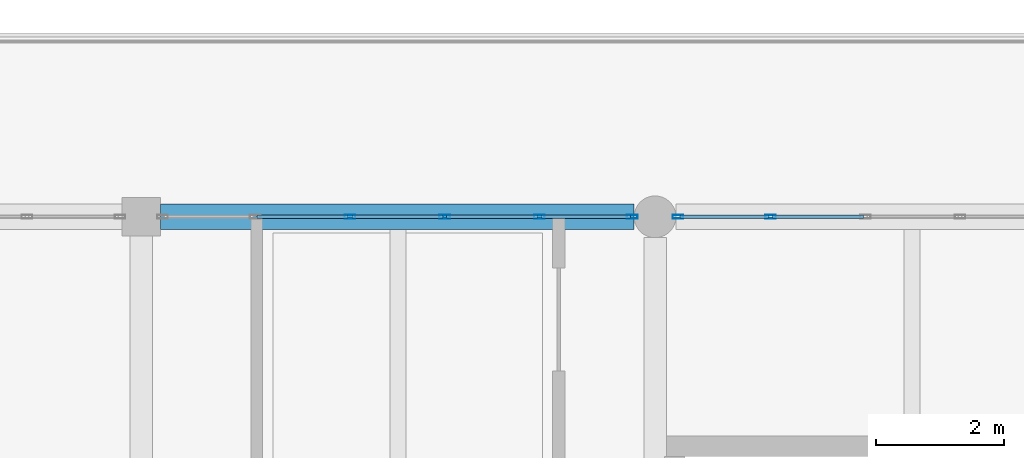
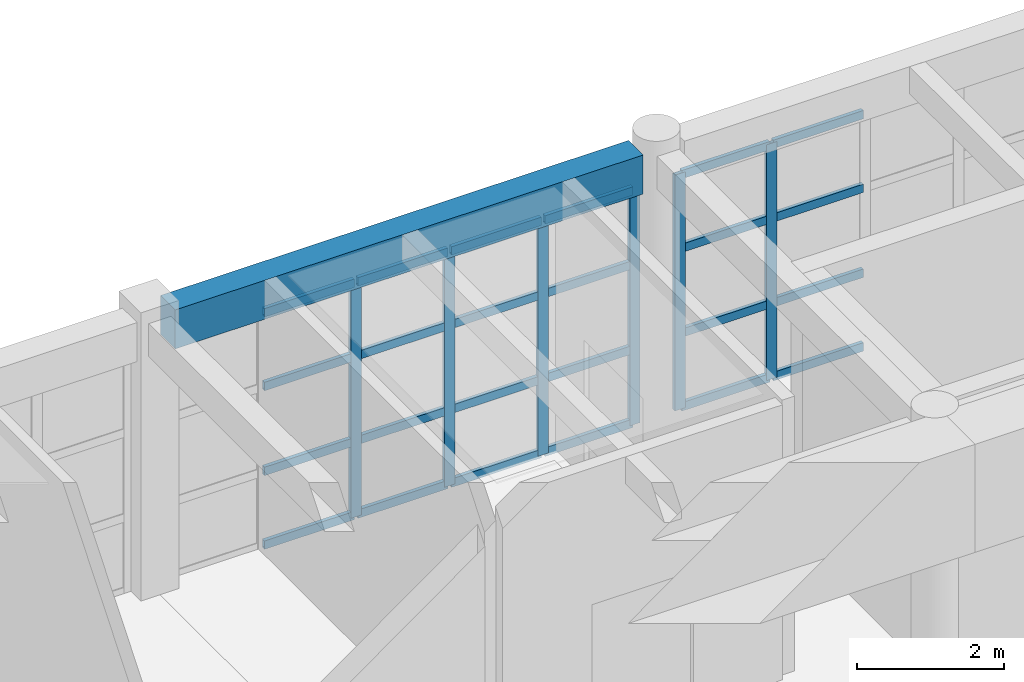
# One storey, part 20 of 32: 30 members, 1 beam, 2 elements without a shape of their own.
"""IFC4 building model written with IfcOpenShell, lengths in metres."""

from ifc_helpers import new_model, si_unit, direction, frame, origin, origin_2d, place, context, subcontext, project, spatial, rectangle, hollow_rectangle, extrude, material, material_profile, profile_set, type_object, element, aggregate, save


model = new_model("IFC4")

# Units and contexts
model_context = context("Model", 3, precision=1e-05, world=origin(), true_north=direction((0.0, 1.0)))
body_context = subcontext(model_context, "Body", "Model", "MODEL_VIEW")
ifc_project = project(units=[si_unit("LENGTHUNIT", "METRE"), si_unit("AREAUNIT", "SQUARE_METRE"), si_unit("VOLUMEUNIT", "CUBIC_METRE"), si_unit("PLANEANGLEUNIT", "RADIAN"), si_unit("MASSUNIT", "GRAM", prefix="KILO")], contexts=[model_context])

# Site, building, storey
site_placement = place(None, origin())
site = spatial("IfcSite", under=ifc_project, at=site_placement, CompositionType="ELEMENT")
building_placement = place(site_placement, origin())
building = spatial("IfcBuilding", under=site, at=building_placement, Name="Zantavel Square City Hall", CompositionType="ELEMENT")
storey_placement = place(building_placement, frame((0.0, 0.0, 23.699951171875)))
storey = spatial("IfcBuildingStorey", under=building, at=storey_placement, Name="L06", CompositionType="ELEMENT", Elevation=23.699951171875)

# Curtain wall, members
ifc_material_1 = material(Name="Anodised aluminium 6063-T6", Category="aluminium")
curtain_wall_type = type_object("IfcCurtainWallType", Name="Curtain Wall TRV1 7375x3930", PredefinedType="USERDEFINED", material=ifc_material_1)
curtain_wall_1_placement = place(storey_placement, origin())
curtain_wall_1 = element("IfcCurtainWall", 1, at=curtain_wall_1_placement, inside=storey, type_object=curtain_wall_type, Name="L06 Glazed Curtain Wall CW-L06-148", ObjectType="GLAZED CURTAIN WALL", PredefinedType="USERDEFINED")
ifc_material_profile_1 = material_profile(ifc_material_1, hollow_rectangle(XDim=0.06005859375, YDim=0.1650390625, WallThickness=0.00390625, at=origin_2d()), Name="ALU 60x165x4")
ifc_profile_set_1 = profile_set([ifc_material_profile_1], Name="Anodised aluminium 6063-T6")
member_type_1 = type_object("IfcMemberType", Name="CW Council Gallery Mullion ALU 60x165x4", PredefinedType="MULLION", material=ifc_profile_set_1)
member_1_placement = place(storey_placement, frame((91.25, 68.39990234375, 0.0), z_axis=(0.0, 0.0, 1.0), x_axis=(0.0, 1.0, 0.0)))
member_1 = element("IfcMember", 2, at=member_1_placement, type_object=member_type_1, Name="CW-148 mullion 3", PredefinedType="MULLION", context=body_context, shape_type="SweptSolid", body=[
    extrude(hollow_rectangle(XDim=0.06005859375, YDim=0.1650390625, WallThickness=0.00390625, at=origin_2d()), origin(), (0.0, 0.0, 1.0), 3.929931640625),
])
member_2_placement = place(storey_placement, frame((92.72509765625, 68.39990234375, 0.0), z_axis=(0.0, 0.0, 1.0), x_axis=(0.0, 1.0, 0.0)))
member_2 = element("IfcMember", 3, at=member_2_placement, type_object=member_type_1, Name="CW-148 mullion 4", PredefinedType="MULLION", context=body_context, shape_type="SweptSolid", body=[
    extrude(hollow_rectangle(XDim=0.06005859375, YDim=0.1650390625, WallThickness=0.00390625, at=origin_2d()), origin(), (0.0, 0.0, 1.0), 3.929931640625),
])
member_3_placement = place(storey_placement, frame((94.199951171875, 68.39990234375, 0.0), z_axis=(0.0, 0.0, 1.0), x_axis=(0.0, 1.0, 0.0)))
member_3 = element("IfcMember", 4, at=member_3_placement, type_object=member_type_1, Name="CW-148 mullion 5", PredefinedType="MULLION", context=body_context, shape_type="SweptSolid", body=[
    extrude(hollow_rectangle(XDim=0.06005859375, YDim=0.1650390625, WallThickness=0.00390625, at=origin_2d()), origin(), (0.0, 0.0, 1.0), 3.929931640625),
])
member_4_placement = place(storey_placement, frame((95.64501953125, 68.39990234375, 0.0), z_axis=(0.0, 0.0, 1.0), x_axis=(0.0, 1.0, 0.0)))
member_4 = element("IfcMember", 5, at=member_4_placement, type_object=member_type_1, Name="CW-148 mullion 6", PredefinedType="MULLION", context=body_context, shape_type="SweptSolid", body=[
    extrude(hollow_rectangle(XDim=0.06005859375, YDim=0.1650390625, WallThickness=0.00390625, at=origin_2d()), origin(), (0.0, 0.0, 1.0), 3.929931640625),
])

curtain_wall_2_placement = place(storey_placement, origin())
curtain_wall_2 = element("IfcCurtainWall", 6, at=curtain_wall_2_placement, inside=storey, type_object=curtain_wall_type, Name="L06 Glazed Curtain Wall CW-L06-149", ObjectType="GLAZED CURTAIN WALL", PredefinedType="USERDEFINED")
member_5_placement = place(storey_placement, frame((96.35498046875, 68.39990234375, 0.0), z_axis=(0.0, 0.0, 1.0), x_axis=(0.0, 1.0, 0.0)))
member_5 = element("IfcMember", 7, at=member_5_placement, type_object=member_type_1, Name="CW-149 mullion 1", PredefinedType="MULLION", context=body_context, shape_type="SweptSolid", body=[
    extrude(hollow_rectangle(XDim=0.06005859375, YDim=0.1650390625, WallThickness=0.00390625, at=origin_2d()), origin(), (0.0, 0.0, 1.0), 3.929931640625),
])
member_6_placement = place(storey_placement, frame((97.800048828125, 68.39990234375, 0.0), z_axis=(0.0, 0.0, 1.0), x_axis=(0.0, 1.0, 0.0)))
member_6 = element("IfcMember", 8, at=member_6_placement, type_object=member_type_1, Name="CW-149 mullion 2", PredefinedType="MULLION", context=body_context, shape_type="SweptSolid", body=[
    extrude(hollow_rectangle(XDim=0.06005859375, YDim=0.1650390625, WallThickness=0.00390625, at=origin_2d()), origin(), (0.0, 0.0, 1.0), 3.929931640625),
])

# Member
ifc_material_profile_2 = material_profile(ifc_material_1, hollow_rectangle(XDim=0.06005859375, YDim=0.139892578125, WallThickness=0.00390625, at=origin_2d()), Name="ALU 60x140x4")
ifc_profile_set_2 = profile_set([ifc_material_profile_2], Name="Anodised aluminium 6063-T6")
member_type_2 = type_object("IfcMemberType", Name="CW Transom ALU 60x140x4", PredefinedType="USERDEFINED", material=ifc_profile_set_2)
member_7_placement = place(storey_placement, frame((89.804931640625, 68.39990234375, 0.030029296875), z_axis=(1.0, 0.0, 0.0), x_axis=(0.0, 1.0, 0.0)))
member_7 = element("IfcMember", 9, at=member_7_placement, type_object=member_type_2, Name="CW-148 transom 2.1", ObjectType="TRANSOM", PredefinedType="USERDEFINED", context=body_context, shape_type="SweptSolid", body=[
    extrude(hollow_rectangle(XDim=0.06005859375, YDim=0.139892578125, WallThickness=0.00390625, at=origin_2d()), origin(), (0.0, 0.0, 1.0), 1.4150390625),
])

member_8_placement = place(storey_placement, frame((89.804931640625, 68.39990234375, 1.258056640625), z_axis=(1.0, 0.0, 0.0), x_axis=(0.0, 1.0, 0.0)))
member_8 = element("IfcMember", 10, at=member_8_placement, type_object=member_type_2, Name="CW-148 transom 2.2", ObjectType="TRANSOM", PredefinedType="USERDEFINED", context=body_context, shape_type="SweptSolid", body=[
    extrude(hollow_rectangle(XDim=0.06005859375, YDim=0.139892578125, WallThickness=0.00390625, at=origin_2d()), origin(), (0.0, 0.0, 1.0), 1.4150390625),
])

member_9_placement = place(storey_placement, frame((89.804931640625, 68.39990234375, 2.672119140625), z_axis=(1.0, 0.0, 0.0), x_axis=(0.0, 1.0, 0.0)))
member_9 = element("IfcMember", 11, at=member_9_placement, type_object=member_type_2, Name="CW-148 transom 2.3", ObjectType="TRANSOM", PredefinedType="USERDEFINED", context=body_context, shape_type="SweptSolid", body=[
    extrude(hollow_rectangle(XDim=0.06005859375, YDim=0.139892578125, WallThickness=0.00390625, at=origin_2d()), origin(), (0.0, 0.0, 1.0), 1.4150390625),
])

member_10_placement = place(storey_placement, frame((89.804931640625, 68.39990234375, 3.900146484375), z_axis=(1.0, 0.0, 0.0), x_axis=(0.0, 1.0, 0.0)))
member_10 = element("IfcMember", 12, at=member_10_placement, type_object=member_type_2, Name="CW-148 transom 2.4", ObjectType="TRANSOM", PredefinedType="USERDEFINED", context=body_context, shape_type="SweptSolid", body=[
    extrude(hollow_rectangle(XDim=0.06005859375, YDim=0.139892578125, WallThickness=0.00390625, at=origin_2d()), origin(), (0.0, 0.0, 1.0), 1.4150390625),
])

member_11_placement = place(storey_placement, frame((91.280029296875, 68.39990234375, 0.030029296875), z_axis=(1.0, 0.0, 0.0), x_axis=(0.0, 1.0, 0.0)))
member_11 = element("IfcMember", 13, at=member_11_placement, type_object=member_type_2, Name="CW-148 transom 3.1", ObjectType="TRANSOM", PredefinedType="USERDEFINED", context=body_context, shape_type="SweptSolid", body=[
    extrude(hollow_rectangle(XDim=0.06005859375, YDim=0.139892578125, WallThickness=0.00390625, at=origin_2d()), origin(), (0.0, 0.0, 1.0), 1.4150390625),
])

member_12_placement = place(storey_placement, frame((91.280029296875, 68.39990234375, 1.258056640625), z_axis=(1.0, 0.0, 0.0), x_axis=(0.0, 1.0, 0.0)))
member_12 = element("IfcMember", 14, at=member_12_placement, type_object=member_type_2, Name="CW-148 transom 3.2", ObjectType="TRANSOM", PredefinedType="USERDEFINED", context=body_context, shape_type="SweptSolid", body=[
    extrude(hollow_rectangle(XDim=0.06005859375, YDim=0.139892578125, WallThickness=0.00390625, at=origin_2d()), origin(), (0.0, 0.0, 1.0), 1.4150390625),
])

member_13_placement = place(storey_placement, frame((91.280029296875, 68.39990234375, 2.672119140625), z_axis=(1.0, 0.0, 0.0), x_axis=(0.0, 1.0, 0.0)))
member_13 = element("IfcMember", 15, at=member_13_placement, type_object=member_type_2, Name="CW-148 transom 3.3", ObjectType="TRANSOM", PredefinedType="USERDEFINED", context=body_context, shape_type="SweptSolid", body=[
    extrude(hollow_rectangle(XDim=0.06005859375, YDim=0.139892578125, WallThickness=0.00390625, at=origin_2d()), origin(), (0.0, 0.0, 1.0), 1.4150390625),
])

member_14_placement = place(storey_placement, frame((91.280029296875, 68.39990234375, 3.900146484375), z_axis=(1.0, 0.0, 0.0), x_axis=(0.0, 1.0, 0.0)))
member_14 = element("IfcMember", 16, at=member_14_placement, type_object=member_type_2, Name="CW-148 transom 3.4", ObjectType="TRANSOM", PredefinedType="USERDEFINED", context=body_context, shape_type="SweptSolid", body=[
    extrude(hollow_rectangle(XDim=0.06005859375, YDim=0.139892578125, WallThickness=0.00390625, at=origin_2d()), origin(), (0.0, 0.0, 1.0), 1.4150390625),
])

member_15_placement = place(storey_placement, frame((92.7548828125, 68.39990234375, 0.030029296875), z_axis=(1.0, 0.0, 0.0), x_axis=(0.0, 1.0, 0.0)))
member_15 = element("IfcMember", 17, at=member_15_placement, type_object=member_type_2, Name="CW-148 transom 4.1", ObjectType="TRANSOM", PredefinedType="USERDEFINED", context=body_context, shape_type="SweptSolid", body=[
    extrude(hollow_rectangle(XDim=0.06005859375, YDim=0.139892578125, WallThickness=0.00390625, at=origin_2d()), origin(), (0.0, 0.0, 1.0), 1.4150390625),
])

member_16_placement = place(storey_placement, frame((92.7548828125, 68.39990234375, 1.258056640625), z_axis=(1.0, 0.0, 0.0), x_axis=(0.0, 1.0, 0.0)))
member_16 = element("IfcMember", 18, at=member_16_placement, type_object=member_type_2, Name="CW-148 transom 4.2", ObjectType="TRANSOM", PredefinedType="USERDEFINED", context=body_context, shape_type="SweptSolid", body=[
    extrude(hollow_rectangle(XDim=0.06005859375, YDim=0.139892578125, WallThickness=0.00390625, at=origin_2d()), origin(), (0.0, 0.0, 1.0), 1.4150390625),
])

member_17_placement = place(storey_placement, frame((92.7548828125, 68.39990234375, 2.672119140625), z_axis=(1.0, 0.0, 0.0), x_axis=(0.0, 1.0, 0.0)))
member_17 = element("IfcMember", 19, at=member_17_placement, type_object=member_type_2, Name="CW-148 transom 4.3", ObjectType="TRANSOM", PredefinedType="USERDEFINED", context=body_context, shape_type="SweptSolid", body=[
    extrude(hollow_rectangle(XDim=0.06005859375, YDim=0.139892578125, WallThickness=0.00390625, at=origin_2d()), origin(), (0.0, 0.0, 1.0), 1.4150390625),
])

member_18_placement = place(storey_placement, frame((92.7548828125, 68.39990234375, 3.900146484375), z_axis=(1.0, 0.0, 0.0), x_axis=(0.0, 1.0, 0.0)))
member_18 = element("IfcMember", 20, at=member_18_placement, type_object=member_type_2, Name="CW-148 transom 4.4", ObjectType="TRANSOM", PredefinedType="USERDEFINED", context=body_context, shape_type="SweptSolid", body=[
    extrude(hollow_rectangle(XDim=0.06005859375, YDim=0.139892578125, WallThickness=0.00390625, at=origin_2d()), origin(), (0.0, 0.0, 1.0), 1.4150390625),
])

member_19_placement = place(storey_placement, frame((94.22998046875, 68.39990234375, 0.030029296875), z_axis=(1.0, 0.0, 0.0), x_axis=(0.0, 1.0, 0.0)))
member_19 = element("IfcMember", 21, at=member_19_placement, type_object=member_type_2, Name="CW-148 transom 5.1", ObjectType="TRANSOM", PredefinedType="USERDEFINED", context=body_context, shape_type="SweptSolid", body=[
    extrude(hollow_rectangle(XDim=0.06005859375, YDim=0.139892578125, WallThickness=0.00390625, at=origin_2d()), origin(), (0.0, 0.0, 1.0), 1.385009765625),
])

member_20_placement = place(storey_placement, frame((94.22998046875, 68.39990234375, 1.258056640625), z_axis=(1.0, 0.0, 0.0), x_axis=(0.0, 1.0, 0.0)))
member_20 = element("IfcMember", 22, at=member_20_placement, type_object=member_type_2, Name="CW-148 transom 5.2", ObjectType="TRANSOM", PredefinedType="USERDEFINED", context=body_context, shape_type="SweptSolid", body=[
    extrude(hollow_rectangle(XDim=0.06005859375, YDim=0.139892578125, WallThickness=0.00390625, at=origin_2d()), origin(), (0.0, 0.0, 1.0), 1.385009765625),
])

member_21_placement = place(storey_placement, frame((94.22998046875, 68.39990234375, 2.672119140625), z_axis=(1.0, 0.0, 0.0), x_axis=(0.0, 1.0, 0.0)))
member_21 = element("IfcMember", 23, at=member_21_placement, type_object=member_type_2, Name="CW-148 transom 5.3", ObjectType="TRANSOM", PredefinedType="USERDEFINED", context=body_context, shape_type="SweptSolid", body=[
    extrude(hollow_rectangle(XDim=0.06005859375, YDim=0.139892578125, WallThickness=0.00390625, at=origin_2d()), origin(), (0.0, 0.0, 1.0), 1.385009765625),
])

member_22_placement = place(storey_placement, frame((94.22998046875, 68.39990234375, 3.900146484375), z_axis=(1.0, 0.0, 0.0), x_axis=(0.0, 1.0, 0.0)))
member_22 = element("IfcMember", 24, at=member_22_placement, type_object=member_type_2, Name="CW-148 transom 5.4", ObjectType="TRANSOM", PredefinedType="USERDEFINED", context=body_context, shape_type="SweptSolid", body=[
    extrude(hollow_rectangle(XDim=0.06005859375, YDim=0.139892578125, WallThickness=0.00390625, at=origin_2d()), origin(), (0.0, 0.0, 1.0), 1.385009765625),
])

aggregate(curtain_wall_1, [member_1, member_2, member_3, member_4, member_7, member_8, member_9, member_10, member_11, member_12, member_13, member_14, member_15, member_16, member_17, member_18, member_19, member_20, member_21, member_22])

member_23_placement = place(storey_placement, frame((96.385009765625, 68.39990234375, 0.030029296875), z_axis=(1.0, 0.0, 0.0), x_axis=(0.0, 1.0, 0.0)))
member_23 = element("IfcMember", 25, at=member_23_placement, type_object=member_type_2, Name="CW-149 transom 1.1", ObjectType="TRANSOM", PredefinedType="USERDEFINED", context=body_context, shape_type="SweptSolid", body=[
    extrude(hollow_rectangle(XDim=0.06005859375, YDim=0.139892578125, WallThickness=0.00390625, at=origin_2d()), origin(), (0.0, 0.0, 1.0), 1.385009765625),
])

member_24_placement = place(storey_placement, frame((96.385009765625, 68.39990234375, 1.258056640625), z_axis=(1.0, 0.0, 0.0), x_axis=(0.0, 1.0, 0.0)))
member_24 = element("IfcMember", 26, at=member_24_placement, type_object=member_type_2, Name="CW-149 transom 1.2", ObjectType="TRANSOM", PredefinedType="USERDEFINED", context=body_context, shape_type="SweptSolid", body=[
    extrude(hollow_rectangle(XDim=0.06005859375, YDim=0.139892578125, WallThickness=0.00390625, at=origin_2d()), origin(), (0.0, 0.0, 1.0), 1.385009765625),
])

member_25_placement = place(storey_placement, frame((96.385009765625, 68.39990234375, 2.672119140625), z_axis=(1.0, 0.0, 0.0), x_axis=(0.0, 1.0, 0.0)))
member_25 = element("IfcMember", 27, at=member_25_placement, type_object=member_type_2, Name="CW-149 transom 1.3", ObjectType="TRANSOM", PredefinedType="USERDEFINED", context=body_context, shape_type="SweptSolid", body=[
    extrude(hollow_rectangle(XDim=0.06005859375, YDim=0.139892578125, WallThickness=0.00390625, at=origin_2d()), origin(), (0.0, 0.0, 1.0), 1.385009765625),
])

member_26_placement = place(storey_placement, frame((96.385009765625, 68.39990234375, 3.900146484375), z_axis=(1.0, 0.0, 0.0), x_axis=(0.0, 1.0, 0.0)))
member_26 = element("IfcMember", 28, at=member_26_placement, type_object=member_type_2, Name="CW-149 transom 1.4", ObjectType="TRANSOM", PredefinedType="USERDEFINED", context=body_context, shape_type="SweptSolid", body=[
    extrude(hollow_rectangle(XDim=0.06005859375, YDim=0.139892578125, WallThickness=0.00390625, at=origin_2d()), origin(), (0.0, 0.0, 1.0), 1.385009765625),
])

member_27_placement = place(storey_placement, frame((97.830078125, 68.39990234375, 0.030029296875), z_axis=(1.0, 0.0, 0.0), x_axis=(0.0, 1.0, 0.0)))
member_27 = element("IfcMember", 29, at=member_27_placement, type_object=member_type_2, Name="CW-149 transom 2.1", ObjectType="TRANSOM", PredefinedType="USERDEFINED", context=body_context, shape_type="SweptSolid", body=[
    extrude(hollow_rectangle(XDim=0.06005859375, YDim=0.139892578125, WallThickness=0.00390625, at=origin_2d()), origin(), (0.0, 0.0, 1.0), 1.4150390625),
])

member_28_placement = place(storey_placement, frame((97.830078125, 68.39990234375, 1.258056640625), z_axis=(1.0, 0.0, 0.0), x_axis=(0.0, 1.0, 0.0)))
member_28 = element("IfcMember", 30, at=member_28_placement, type_object=member_type_2, Name="CW-149 transom 2.2", ObjectType="TRANSOM", PredefinedType="USERDEFINED", context=body_context, shape_type="SweptSolid", body=[
    extrude(hollow_rectangle(XDim=0.06005859375, YDim=0.139892578125, WallThickness=0.00390625, at=origin_2d()), origin(), (0.0, 0.0, 1.0), 1.4150390625),
])

member_29_placement = place(storey_placement, frame((97.830078125, 68.39990234375, 2.672119140625), z_axis=(1.0, 0.0, 0.0), x_axis=(0.0, 1.0, 0.0)))
member_29 = element("IfcMember", 31, at=member_29_placement, type_object=member_type_2, Name="CW-149 transom 2.3", ObjectType="TRANSOM", PredefinedType="USERDEFINED", context=body_context, shape_type="SweptSolid", body=[
    extrude(hollow_rectangle(XDim=0.06005859375, YDim=0.139892578125, WallThickness=0.00390625, at=origin_2d()), origin(), (0.0, 0.0, 1.0), 1.4150390625),
])

member_30_placement = place(storey_placement, frame((97.830078125, 68.39990234375, 3.900146484375), z_axis=(1.0, 0.0, 0.0), x_axis=(0.0, 1.0, 0.0)))
member_30 = element("IfcMember", 32, at=member_30_placement, type_object=member_type_2, Name="CW-149 transom 2.4", ObjectType="TRANSOM", PredefinedType="USERDEFINED", context=body_context, shape_type="SweptSolid", body=[
    extrude(hollow_rectangle(XDim=0.06005859375, YDim=0.139892578125, WallThickness=0.00390625, at=origin_2d()), origin(), (0.0, 0.0, 1.0), 1.4150390625),
])

aggregate(curtain_wall_2, [member_5, member_6, member_23, member_24, member_25, member_26, member_27, member_28, member_29, member_30])

# Beam
ifc_material_2 = material(Name="Concrete C35/45", Category="concrete")
ifc_material_profile_3 = material_profile(ifc_material_2, rectangle(XDim=0.39990234375, YDim=0.64990234375, at=origin_2d()), Name="RC 400x650")
ifc_profile_set_3 = profile_set([ifc_material_profile_3], Name="Concrete C35/45")
beam_type = type_object("IfcBeamType", Name="Frame Beam RC 400x650 C35/45", PredefinedType="BEAM", material=ifc_profile_set_3)
beam_placement = place(storey_placement, frame((88.300048828125, 68.39990234375, 4.255126953125), z_axis=(1.0, 0.0, 0.0), x_axis=(0.0, 1.0, 0.0)))
element("IfcBeam", 33, at=beam_placement, inside=storey, type_object=beam_type, Name="L06 Girder BMX-L06-0880-0684", PredefinedType="BEAM", context=body_context, shape_type="SweptSolid", body=[
    extrude(rectangle(XDim=0.39990234375, YDim=0.64990234375, at=origin_2d()), origin(), (0.0, 0.0, 1.0), 7.375),
])

save(model, "model.ifc")
